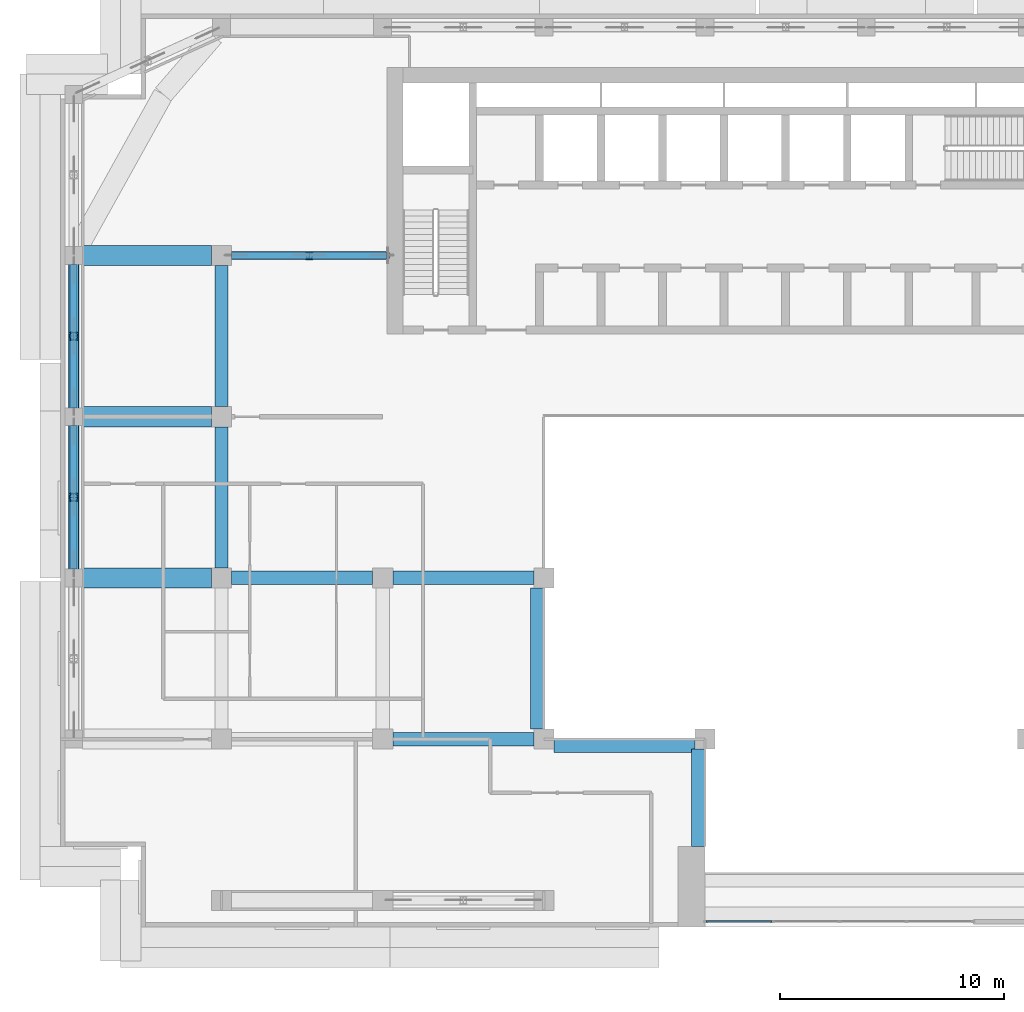
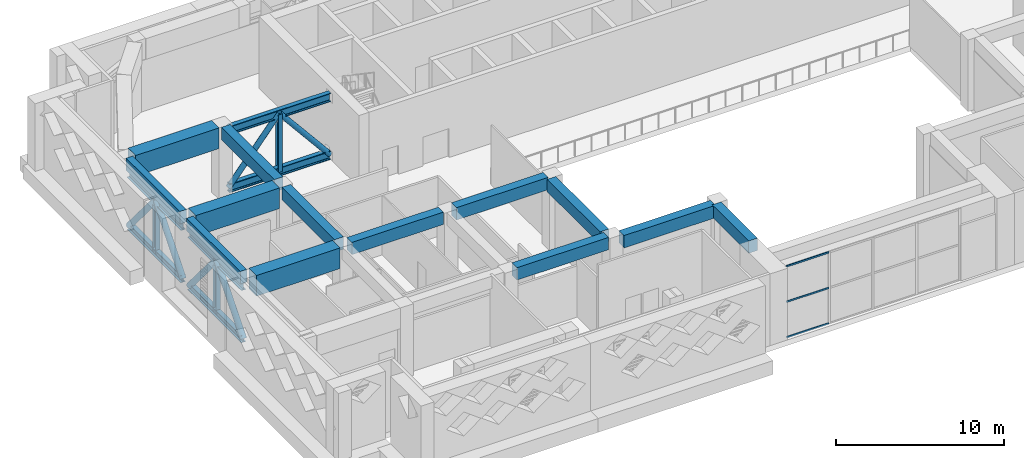
# One storey, part 3 of 20: 18 members, 13 beams, 1 element without a shape of its own.
"""IFC4 building model written with IfcOpenShell, lengths in metres."""

import ifcopenshell
import ifcopenshell.guid

model = None  # the IFC model being written
_history = None  # IfcOwnerHistory: only IFC2X3 demands one
_inside = {}  # id of a spatial element -> (the spatial element, [elements in it])
_under = {}  # id of a project, library or spatial element -> (it, [spatial elements below it])
_declared = {}  # id of a project -> (the project, [libraries it declares])
_typed = {}  # id of a type object -> (the type object, [elements of that type])
_made_of = {}  # id of a material, layer set ... -> (it, [elements and type objects made of it])


def new_model(schema):
    """Start an empty IFC model of exactly this schema.

    Asked for "IFC4X3", IfcOpenShell would pick the latest addendum, in which some entities
    have other attributes; the version numbers below select the first issue.
    IFC2X3 requires an IfcOwnerHistory on every rooted entity: one is made here for all.
    """
    global model, _history
    if schema == "IFC4X3":
        model = ifcopenshell.file(schema_version=(4, 3, 0, 0))
    else:
        model = ifcopenshell.file(schema=schema)
    _inside.clear()
    _under.clear()
    _declared.clear()
    _typed.clear()
    _made_of.clear()
    _history = None
    if model.schema == "IFC2X3":
        org = make("IfcOrganization", Name="unknown")
        user = make(
            "IfcPersonAndOrganization",
            ThePerson=make("IfcPerson", FamilyName="unknown"),
            TheOrganization=org,
        )
        app = make(
            "IfcApplication",
            ApplicationDeveloper=org,
            Version="unknown",
            ApplicationFullName="unknown",
            ApplicationIdentifier="unknown",
        )
        _history = make(
            "IfcOwnerHistory",
            OwningUser=user,
            OwningApplication=app,
            ChangeAction="ADDED",
            CreationDate=0,
        )
    return model


def make(cls, **values):
    """One entity of the class cls with the attributes given. An attribute that is None is left unset."""
    return model.create_entity(
        cls, **{name: value for name, value in values.items() if value is not None}
    )


def rooted(cls, **values):
    """An entity with a GlobalId (a new one), such as an element, a storey or a relation."""
    return make(cls, GlobalId=ifcopenshell.guid.new(), OwnerHistory=_history, **values)


def si_unit(unit_type, name, prefix=None):
    """IfcSIUnit, for example si_unit("LENGTHUNIT", "METRE", prefix="MILLI")."""
    return make("IfcSIUnit", UnitType=unit_type, Prefix=prefix, Name=name)


def assignment(units):
    """IfcUnitAssignment: the units of a project."""
    return None if units is None else make("IfcUnitAssignment", Units=units)


def point(xyz):
    """IfcCartesianPoint."""
    return None if xyz is None else make("IfcCartesianPoint", Coordinates=xyz)


def direction(xyz):
    """IfcDirection."""
    return None if xyz is None else make("IfcDirection", DirectionRatios=xyz)


def frame(location, z_axis=None, x_axis=None):
    """IfcAxis2Placement3D, a coordinate frame: its origin and axes. An axis left out is left unset."""
    return make(
        "IfcAxis2Placement3D",
        Location=point(location),
        Axis=direction(z_axis),
        RefDirection=direction(x_axis),
    )


def frame_2d(location, x_axis=None):
    """IfcAxis2Placement2D, a coordinate frame in the plane: its origin and x axis."""
    return make(
        "IfcAxis2Placement2D", Location=point(location), RefDirection=direction(x_axis)
    )


def origin():
    """The frame at (0, 0, 0) with its axes left unset."""
    return frame((0.0, 0.0, 0.0))


def origin_2d():
    """The frame at (0, 0) in the plane with its x axis left unset."""
    return frame_2d((0.0, 0.0))


def place(relative_to, where):
    """IfcLocalPlacement: puts the frame where relative to a parent placement (None: the world)."""
    return make(
        "IfcLocalPlacement", PlacementRelTo=relative_to, RelativePlacement=where
    )


def context(
    kind, dimensions, precision=None, world=None, true_north=None, identifier=None
):
    """IfcGeometricRepresentationContext, for example the 3D "Model" context."""
    return make(
        "IfcGeometricRepresentationContext",
        ContextIdentifier=identifier,
        ContextType=kind,
        CoordinateSpaceDimension=dimensions,
        Precision=precision,
        WorldCoordinateSystem=world,
        TrueNorth=true_north,
    )


def subcontext(parent, identifier, kind, view, scale=None):
    """IfcGeometricRepresentationSubContext, for example "Body" below "Model"."""
    return make(
        "IfcGeometricRepresentationSubContext",
        ContextIdentifier=identifier,
        ContextType=kind,
        ParentContext=parent,
        TargetScale=scale,
        TargetView=view,
    )


def project(units=None, contexts=None):
    """IfcProject with its units and contexts."""
    return rooted(
        "IfcProject",
        Name="project",
        RepresentationContexts=contexts,
        UnitsInContext=assignment(units),
    )


def spatial(cls, under=None, at=None, **own):
    """A site, building, storey or space (cls), placed at a placement, below another one or the project."""
    s = rooted(cls, ObjectPlacement=at, **own)
    if under is not None:
        _under.setdefault(under.id(), (under, []))[1].append(s)
    return s


def profile(cls, at=None, kind="AREA", **sizes):
    """A parametric profile (cls). Its sizes go by their IFC names, for example OverallWidth=200.0."""
    return make(cls, ProfileType=kind, Position=at, **sizes)


def rectangle(**sizes):
    """IfcRectangleProfileDef."""
    return profile("IfcRectangleProfileDef", **sizes)


def hollow_circle(**sizes):
    """IfcCircleHollowProfileDef."""
    return profile("IfcCircleHollowProfileDef", **sizes)


def i_section(**sizes):
    """IfcIShapeProfileDef."""
    return profile("IfcIShapeProfileDef", **sizes)


def extrude(swept, where, along, depth):
    """IfcExtrudedAreaSolid: the profile swept, set in the frame where, extruded along a direction by depth."""
    return make(
        "IfcExtrudedAreaSolid",
        SweptArea=swept,
        Position=where,
        ExtrudedDirection=direction(along),
        Depth=depth,
    )


def shape(context_of_items, identifier, shape_type, items):
    """IfcShapeRepresentation: the items that make up one representation, for example the "Body"."""
    return make(
        "IfcShapeRepresentation",
        ContextOfItems=context_of_items,
        RepresentationIdentifier=identifier,
        RepresentationType=shape_type,
        Items=items,
    )


def source(mapping_origin, context_of_items, identifier, shape_type, items):
    """IfcRepresentationMap: a shape defined once, which mapped items show again and again."""
    return make(
        "IfcRepresentationMap",
        MappingOrigin=mapping_origin,
        MappedRepresentation=shape(context_of_items, identifier, shape_type, items),
    )


def transform(
    local_origin,
    x_axis=None,
    y_axis=None,
    z_axis=None,
    scale=None,
    scale2=None,
    scale3=None,
    uniform=True,
):
    """IfcCartesianTransformationOperator3D, or its non-uniform kind. x_axis, y_axis, z_axis: its Axis1, 2, 3."""
    if uniform:
        return make(
            "IfcCartesianTransformationOperator3D",
            Axis1=direction(x_axis),
            Axis2=direction(y_axis),
            LocalOrigin=point(local_origin),
            Scale=scale,
            Axis3=direction(z_axis),
        )
    return make(
        "IfcCartesianTransformationOperator3DnonUniform",
        Axis1=direction(x_axis),
        Axis2=direction(y_axis),
        LocalOrigin=point(local_origin),
        Scale=scale,
        Axis3=direction(z_axis),
        Scale2=scale2,
        Scale3=scale3,
    )


def mapped(mapping_source, mapping_target):
    """IfcMappedItem: shows the shape of a source again, moved by a transform."""
    return make(
        "IfcMappedItem", MappingSource=mapping_source, MappingTarget=mapping_target
    )


def material(Name=None, Category=None):
    """IfcMaterial."""
    return make("IfcMaterial", Name=Name, Category=Category)


def layer(
    of_material, thickness, ventilated=None, Name=None, Category=None, Priority=None
):
    """IfcMaterialLayer: one layer of a wall or slab, of a material (None: an air gap)."""
    return make(
        "IfcMaterialLayer",
        Material=of_material,
        LayerThickness=thickness,
        IsVentilated=ventilated,
        Name=Name,
        Category=Category,
        Priority=Priority,
    )


def layer_set(layers, Name=None):
    """IfcMaterialLayerSet."""
    return make("IfcMaterialLayerSet", MaterialLayers=layers, LayerSetName=Name)


def material_profile(
    of_material, cross_section, Name=None, Category=None, Priority=None
):
    """IfcMaterialProfile: a cross section and its material."""
    return make(
        "IfcMaterialProfile",
        Name=Name,
        Material=of_material,
        Profile=cross_section,
        Priority=Priority,
        Category=Category,
    )


def profile_set(profiles, Name=None, composite=None):
    """IfcMaterialProfileSet."""
    return make(
        "IfcMaterialProfileSet",
        Name=Name,
        MaterialProfiles=profiles,
        CompositeProfile=composite,
    )


def made_of(thing, what):
    """Note that an element or type object is made of a material, layer set ...; save() writes the relation."""
    if what is not None:
        _made_of.setdefault(what.id(), (what, []))[1].append(thing)
    return thing


def type_object(cls, material=None, **own):
    """A type object (cls), such as IfcWallType, which elements share."""
    return made_of(rooted(cls, **own), material)


def element(
    cls,
    number,
    at=None,
    inside=None,
    cuts=None,
    type_object=None,
    material=None,
    context=None,
    identifier="Body",
    shape_type=None,
    held_by="IfcProductDefinitionShape",
    body=None,
    shapes=None,
    **own,
):
    """One element of the class cls, such as IfcWall. Its Tag is "e" and its number.

    at: its placement. inside: the storey or other place that contains it. cuts: it is an
    opening in that element (IfcRelVoidsElement). A single representation is given by context,
    identifier, shape_type and body (its items); several are given by shapes. held_by: the class
    of the entity that holds the representations. save() writes the other relations.
    """
    e = rooted(cls, Tag="e%d" % number, ObjectPlacement=at, **own)
    if body is not None:
        shapes = [shape(context, identifier, shape_type, body)]
    if shapes is not None:
        e.Representation = make(held_by, Representations=shapes)
    if inside is not None:
        _inside.setdefault(inside.id(), (inside, []))[1].append(e)
    if cuts is not None:
        rooted(
            "IfcRelVoidsElement", RelatingBuildingElement=cuts, RelatedOpeningElement=e
        )
    if type_object is not None:
        _typed.setdefault(type_object.id(), (type_object, []))[1].append(e)
    return made_of(e, material)


def aggregate(whole, parts):
    """IfcRelAggregates: a whole, such as a stair, and the parts it consists of."""
    return rooted("IfcRelAggregates", RelatingObject=whole, RelatedObjects=parts)


def save(model, path):
    """Write the relations noted so far, then the file.

    IfcRelAggregates (storeys below a building ...), IfcRelContainedInSpatialStructure (elements
    in a storey), IfcRelDefinesByType, IfcRelAssociatesMaterial and IfcRelDeclares: one each for
    every whole, place, type object, material and project.
    """
    for whole, parts in _under.values():
        aggregate(whole, parts)
    for where, things in _inside.values():
        rooted(
            "IfcRelContainedInSpatialStructure",
            RelatedElements=things,
            RelatingStructure=where,
        )
    for kind, things in _typed.values():
        rooted("IfcRelDefinesByType", RelatedObjects=things, RelatingType=kind)
    for what, things in _made_of.values():
        rooted("IfcRelAssociatesMaterial", RelatedObjects=things, RelatingMaterial=what)
    for by, libraries in _declared.values():
        rooted("IfcRelDeclares", RelatingContext=by, RelatedDefinitions=libraries)
    model.write(path)


model = new_model("IFC4")

# Units and contexts
model_context = context("Model", 3, precision=1e-05, world=origin(), true_north=direction((0.0, 1.0)))
body_context = subcontext(model_context, "Body", "Model", "MODEL_VIEW")
ifc_project = project(units=[si_unit("LENGTHUNIT", "METRE"), si_unit("AREAUNIT", "SQUARE_METRE"), si_unit("VOLUMEUNIT", "CUBIC_METRE"), si_unit("PLANEANGLEUNIT", "RADIAN"), si_unit("MASSUNIT", "GRAM", prefix="KILO")], contexts=[model_context])

# Site, building, storey
site_placement = place(None, origin())
site = spatial("IfcSite", under=ifc_project, at=site_placement, CompositionType="ELEMENT")
building_placement = place(site_placement, origin())
building = spatial("IfcBuilding", under=site, at=building_placement, Name="Saffron Iwan Residences", CompositionType="ELEMENT")
storey_placement = place(building_placement, frame((0.0, 0.0, 206.0)))
storey = spatial("IfcBuildingStorey", under=building, at=storey_placement, Name="L55", CompositionType="ELEMENT", Elevation=206.0)

# Beams
ifc_material_1 = material(Name="Concrete C50/60", Category="concrete")
ifc_material_profile_1 = material_profile(ifc_material_1, rectangle(XDim=0.449951171875, YDim=0.89990234375, at=origin_2d()), Name="RC 450x900")
ifc_profile_set_1 = profile_set([ifc_material_profile_1], Name="Concrete C50/60")
beam_type_1 = type_object("IfcBeamType", Name="SPANDREL BEAM RC 450x900 C50/60 TOP 5220", PredefinedType="SPANDREL", material=ifc_profile_set_1)
shared_shape_1 = source(origin(), body_context, "Body", "SweptSolid", [
    extrude(rectangle(XDim=0.449951171875, YDim=0.89990234375, at=origin_2d()), origin(), (0.0, 0.0, 1.0), 6.39990234375),
])
for number, where, z_axis, x_axis, name in (
    (1, (15.0, 55.60009765625, 4.77001953125), (0.0, 1.0, 0.0), (-1.0, 0.0, 0.0), "Spandrel beam"),
    (2, (15.0, 62.800048828125, 4.77001953125), (0.0, 1.0, 0.0), (-1.0, 0.0, 0.0), "Spandrel beam"),
):
    element("IfcBeam", number, at=place(storey_placement, frame(where, z_axis=z_axis, x_axis=x_axis)), inside=storey, type_object=beam_type_1, Name=name, PredefinedType="SPANDREL", context=body_context, shape_type="MappedRepresentation", body=[
        mapped(shared_shape_1, transform((0.0, 0.0, 0.0))),
    ])
ifc_material_profile_2 = material_profile(ifc_material_1, rectangle(XDim=0.60009765625, YDim=0.89990234375, at=origin_2d()), Name="RC 600x900")
ifc_profile_set_2 = profile_set([ifc_material_profile_2], Name="Concrete C50/60")
beam_type_2 = type_object("IfcBeamType", Name="BEAM RC 600x900 C50/60 TOP 5220", PredefinedType="BEAM", material=ifc_profile_set_2)
shared_shape_2 = source(origin(), body_context, "Body", "SweptSolid", [
    extrude(rectangle(XDim=0.60009765625, YDim=0.89990234375, at=origin_2d()), origin(), (0.0, 0.0, 1.0), 4.35009765625),
])
beam_1_placement = place(storey_placement, frame((42.89990234375, 43.199951171875, 4.77001953125), z_axis=(0.0, 1.0, 0.0), x_axis=(-1.0, 0.0, 0.0)))
element("IfcBeam", 3, at=beam_1_placement, inside=storey, type_object=beam_type_2, Name="Atrium edge beam", PredefinedType="BEAM", context=body_context, shape_type="MappedRepresentation", body=[
    mapped(shared_shape_2, transform((0.0, 0.0, 0.0))),
])
shared_shape_3 = source(origin(), body_context, "Body", "SweptSolid", [
    extrude(rectangle(XDim=0.60009765625, YDim=0.89990234375, at=origin_2d()), origin(), (0.0, 0.0, 1.0), 6.300048828125),
])
for number, where, z_axis, x_axis, name in (
    (4, (42.75, 47.699951171875, 4.77001953125), (-1.0, 0.0, 0.0), (0.0, -1.0, 0.0), "Atrium edge beam"),
    (5, (35.699951171875, 48.449951171875, 4.77001953125), (0.0, 1.0, 0.0), (-1.0, 0.0, 0.0), "Atrium edge beam"),
    (6, (29.25, 48.0, 4.77001953125), (1.0, 0.0, 0.0), (0.0, 1.0, 0.0), "Floor beam"),
    (7, (22.050048828125, 55.199951171875, 4.77001953125), (1.0, 0.0, 0.0), (0.0, 1.0, 0.0), "Floor beam"),
    (8, (29.25, 55.199951171875, 4.77001953125), (1.0, 0.0, 0.0), (0.0, 1.0, 0.0), "Floor beam"),
    (9, (21.60009765625, 55.64990234375, 4.77001953125), (0.0, 1.0, 0.0), (-1.0, 0.0, 0.0), "Floor beam"),
):
    element("IfcBeam", number, at=place(storey_placement, frame(where, z_axis=z_axis, x_axis=x_axis)), inside=storey, type_object=beam_type_2, Name=name, PredefinedType="BEAM", context=body_context, shape_type="MappedRepresentation", body=[
        mapped(shared_shape_3, transform((0.0, 0.0, 0.0))),
    ])
shared_shape_4 = source(origin(), body_context, "Body", "SweptSolid", [
    extrude(rectangle(XDim=0.60009765625, YDim=0.89990234375, at=origin_2d()), origin(), (0.0, 0.0, 1.0), 6.2998046875),
])
beam_2_placement = place(storey_placement, frame((21.60009765625, 62.85009765625, 4.77001953125), z_axis=(0.0, 1.0, 0.0), x_axis=(-1.0, 0.0, 0.0)))
element("IfcBeam", 10, at=beam_2_placement, inside=storey, type_object=beam_type_2, Name="Floor beam", PredefinedType="BEAM", context=body_context, shape_type="MappedRepresentation", body=[
    mapped(shared_shape_4, transform((0.0, 0.0, 0.0))),
])
ifc_material_profile_3 = material_profile(ifc_material_1, rectangle(XDim=0.89990234375, YDim=1.5, at=origin_2d()), Name="RC 900x1500")
ifc_profile_set_3 = profile_set([ifc_material_profile_3], Name="Concrete C50/60")
beam_type_3 = type_object("IfcBeamType", Name="TRANSFER GIRDER RC 900x1500 C50/60 TOP 5220", PredefinedType="BEAM", material=ifc_profile_set_3)
shared_shape_5 = source(origin(), body_context, "Body", "SweptSolid", [
    extrude(rectangle(XDim=0.89990234375, YDim=1.5, at=origin_2d()), origin(), (0.0, 0.0, 1.0), 5.75),
])
for number, where, z_axis, x_axis, name in (
    (11, (21.14990234375, 55.199951171875, 4.469970703125), (-1.0, 0.0, 0.0), (0.0, -1.0, 0.0), "Transfer girder"),
    (12, (21.14990234375, 62.39990234375, 4.469970703125), (-1.0, 0.0, 0.0), (0.0, -1.0, 0.0), "Transfer girder"),
    (13, (21.14990234375, 69.60009765625, 4.469970703125), (-1.0, 0.0, 0.0), (0.0, -1.0, 0.0), "Transfer girder"),
):
    element("IfcBeam", number, at=place(storey_placement, frame(where, z_axis=z_axis, x_axis=x_axis)), inside=storey, type_object=beam_type_3, Name=name, PredefinedType="BEAM", context=body_context, shape_type="MappedRepresentation", body=[
        mapped(shared_shape_5, transform((0.0, 0.0, 0.0))),
    ])

# Members
ifc_material_2 = material(Name="Steel S355", Category="steel")
ifc_material_profile_4 = material_profile(ifc_material_2, hollow_circle(Radius=0.203125, WallThickness=0.01611328125, at=origin_2d()), Name="CHS 406.4x16")
ifc_profile_set_4 = profile_set([ifc_material_profile_4], Name="Steel S355")
member_type_1 = type_object("IfcMemberType", Name="BELT TRUSS DIAGONAL CHS 406.4x16 S355", PredefinedType="BRACE", material=ifc_profile_set_4)
shared_shape_6 = source(origin(), body_context, "Body", "SweptSolid", [
    extrude(hollow_circle(Radius=0.203125, WallThickness=0.01611328125, at=origin_2d()), origin(), (0.0, 0.0, 1.0), 4.96484375),
])
for number, where, z_axis, x_axis, name in (
    (14, (15.0, 55.60009765625, 0.261962890625), (0.0, 0.644512714947, 0.764593591571), (-1.0, 0.0, 0.0), "Belt truss diagonal L55"),
    (15, (15.0, 58.800048828125, 4.05810546875), (0.0, 0.644512714947, -0.764593591571), (-1.0, 0.0, 0.0), "Belt truss diagonal L55"),
    (16, (15.0, 62.800048828125, 0.261962890625), (0.0, 0.644512714947, 0.764593591571), (-1.0, 0.0, 0.0), "Belt truss diagonal L55"),
    (17, (15.0, 66.0, 4.05810546875), (0.0, 0.644512714947, -0.764593591571), (-1.0, 0.0, 0.0), "Belt truss diagonal L55"),
):
    element("IfcMember", number, at=place(storey_placement, frame(where, z_axis=z_axis, x_axis=x_axis)), inside=storey, type_object=member_type_1, Name=name, PredefinedType="BRACE", context=body_context, shape_type="MappedRepresentation", body=[
        mapped(shared_shape_6, transform((0.0, 0.0, 0.0))),
    ])
ifc_material_profile_5 = material_profile(ifc_material_2, i_section(OverallWidth=0.300048828125, OverallDepth=0.360107421875, WebThickness=0.012451171875, FlangeThickness=0.0224609375, FilletRadius=0.027099609375, at=origin_2d()), Name="HE 360 B")
ifc_profile_set_5 = profile_set([ifc_material_profile_5], Name="Steel S355")
member_type_2 = type_object("IfcMemberType", Name="BELT TRUSS POST HE 360 B S355", PredefinedType="POST", material=ifc_profile_set_5)
shared_shape_7 = source(origin(), body_context, "Body", "SweptSolid", [
    extrude(i_section(OverallWidth=0.300048828125, OverallDepth=0.360107421875, WebThickness=0.012451171875, FlangeThickness=0.0224609375, FilletRadius=0.027099609375, at=origin_2d()), origin(), (0.0, 0.0, 1.0), 3.796142578125),
])
for number, where, z_axis, x_axis, name in (
    (18, (15.0, 58.800048828125, 0.261962890625), (0.0, 0.0, 1.0), (1.0, 0.0, 0.0), "Belt truss post L55"),
    (19, (15.0, 66.0, 0.261962890625), (0.0, 0.0, 1.0), (1.0, 0.0, 0.0), "Belt truss post L55"),
):
    element("IfcMember", number, at=place(storey_placement, frame(where, z_axis=z_axis, x_axis=x_axis)), inside=storey, type_object=member_type_2, Name=name, PredefinedType="POST", context=body_context, shape_type="MappedRepresentation", body=[
        mapped(shared_shape_7, transform((0.0, 0.0, 0.0))),
    ])
ifc_material_profile_6 = material_profile(ifc_material_2, i_section(OverallWidth=0.305908203125, OverallDepth=0.52392578125, WebThickness=0.02099609375, FlangeThickness=0.0400390625, FilletRadius=0.027099609375, at=origin_2d()), Name="HE 500 M")
ifc_profile_set_6 = profile_set([ifc_material_profile_6], Name="Steel S355")
member_type_3 = type_object("IfcMemberType", Name="BELT TRUSS CHORD HE 500 M S355", PredefinedType="CHORD", material=ifc_profile_set_6)
shared_shape_8 = source(origin(), body_context, "Body", "SweptSolid", [
    extrude(i_section(OverallWidth=0.305908203125, OverallDepth=0.52392578125, WebThickness=0.02099609375, FlangeThickness=0.0400390625, FilletRadius=0.027099609375, at=origin_2d()), origin(), (0.0, 0.0, 1.0), 6.39990234375),
])
for number, where, z_axis, x_axis, name in (
    (20, (15.0, 55.60009765625, 0.261962890625), (0.0, 1.0, 0.0), (-1.0, 0.0, 0.0), "Belt truss chord L55"),
    (21, (15.0, 55.60009765625, 4.05810546875), (0.0, 1.0, 0.0), (-1.0, 0.0, 0.0), "Belt truss chord L55"),
    (22, (15.0, 62.800048828125, 0.261962890625), (0.0, 1.0, 0.0), (-1.0, 0.0, 0.0), "Belt truss chord L55"),
    (23, (15.0, 62.800048828125, 4.05810546875), (0.0, 1.0, 0.0), (-1.0, 0.0, 0.0), "Belt truss chord L55"),
):
    element("IfcMember", number, at=place(storey_placement, frame(where, z_axis=z_axis, x_axis=x_axis)), inside=storey, type_object=member_type_3, Name=name, PredefinedType="CHORD", context=body_context, shape_type="MappedRepresentation", body=[
        mapped(shared_shape_8, transform((0.0, 0.0, 0.0))),
    ])
ifc_material_profile_7 = material_profile(ifc_material_2, i_section(OverallWidth=0.304931640625, OverallDepth=0.6201171875, WebThickness=0.02099609375, FlangeThickness=0.0400390625, FilletRadius=0.027099609375, at=origin_2d()), Name="HE 600 M")
ifc_profile_set_7 = profile_set([ifc_material_profile_7], Name="Steel S355")
member_type_4 = type_object("IfcMemberType", Name="OUTRIGGER TRUSS CHORD HE 600 M S355", PredefinedType="CHORD", material=ifc_profile_set_7)
shared_shape_9 = source(origin(), body_context, "Body", "SweptSolid", [
    extrude(i_section(OverallWidth=0.304931640625, OverallDepth=0.6201171875, WebThickness=0.02099609375, FlangeThickness=0.0400390625, FilletRadius=0.027099609375, at=origin_2d()), origin(), (0.0, 0.0, 1.0), 6.949951171875),
])
for number, where, z_axis, x_axis, name in (
    (24, (29.0, 69.60009765625, 0.31005859375), (-1.0, 0.0, 0.0), (0.0, -1.0, 0.0), "Outrigger truss chord L55"),
    (25, (29.0, 69.60009765625, 4.510009765625), (-1.0, 0.0, 0.0), (0.0, -1.0, 0.0), "Outrigger truss chord L55"),
):
    element("IfcMember", number, at=place(storey_placement, frame(where, z_axis=z_axis, x_axis=x_axis)), inside=storey, type_object=member_type_4, Name=name, PredefinedType="CHORD", context=body_context, shape_type="MappedRepresentation", body=[
        mapped(shared_shape_9, transform((0.0, 0.0, 0.0))),
    ])
ifc_material_profile_8 = material_profile(ifc_material_2, hollow_circle(Radius=0.177734375, WallThickness=0.01611328125, at=origin_2d()), Name="CHS 355.6x16")
ifc_profile_set_8 = profile_set([ifc_material_profile_8], Name="Steel S355")
member_type_5 = type_object("IfcMemberType", Name="OUTRIGGER TRUSS DIAGONAL CHS 355.6x16 S355", PredefinedType="BRACE", material=ifc_profile_set_8)
shared_shape_10 = source(origin(), body_context, "Body", "SweptSolid", [
    extrude(hollow_circle(Radius=0.177734375, WallThickness=0.01611328125, at=origin_2d()), origin(), (0.0, 0.0, 1.0), 5.451171875),
])
for number, where, z_axis, x_axis, name in (
    (26, (29.0, 69.60009765625, 0.31005859375), (-0.637488884195, 0.0, 0.770459552818), (0.0, -1.0, 0.0), "Outrigger truss diagonal L55"),
    (27, (25.52490234375, 69.60009765625, 4.510009765625), (-0.637462297525, 0.0, -0.770481550223), (0.0, -1.0, 0.0), "Outrigger truss diagonal L55"),
):
    element("IfcMember", number, at=place(storey_placement, frame(where, z_axis=z_axis, x_axis=x_axis)), inside=storey, type_object=member_type_5, Name=name, PredefinedType="BRACE", context=body_context, shape_type="MappedRepresentation", body=[
        mapped(shared_shape_10, transform((0.0, 0.0, 0.0))),
    ])
ifc_material_profile_9 = material_profile(ifc_material_2, i_section(OverallWidth=0.300048828125, OverallDepth=0.360107421875, WebThickness=0.012451171875, FlangeThickness=0.0224609375, FilletRadius=0.027099609375, at=origin_2d()), Name="HE 360 B")
ifc_profile_set_9 = profile_set([ifc_material_profile_9], Name="Steel S355")
member_type_6 = type_object("IfcMemberType", Name="OUTRIGGER TRUSS POST HE 360 B S355", PredefinedType="POST", material=ifc_profile_set_9)
shared_shape_11 = source(origin(), body_context, "Body", "SweptSolid", [
    extrude(i_section(OverallWidth=0.300048828125, OverallDepth=0.360107421875, WebThickness=0.012451171875, FlangeThickness=0.0224609375, FilletRadius=0.027099609375, at=origin_2d()), origin(), (0.0, 0.0, 1.0), 4.199951171875),
])
member_1_placement = place(storey_placement, frame((25.52490234375, 69.60009765625, 0.31005859375), z_axis=(0.0, 0.0, 1.0), x_axis=(1.0, 0.0, 0.0)))
element("IfcMember", 28, at=member_1_placement, inside=storey, type_object=member_type_6, Name="Outrigger truss post L55", PredefinedType="POST", context=body_context, shape_type="MappedRepresentation", body=[
    mapped(shared_shape_11, transform((0.0, 0.0, 0.0))),
])

# Curtain wall, members
ifc_material_3 = material(Name="Clear glass, laminated double glazed", Category="glass")
ifc_layer = layer(ifc_material_3, 0.199951171875)
ifc_layer_set = layer_set([ifc_layer], Name="Clear glass, laminated double glazed")
curtain_wall_type = type_object("IfcCurtainWallType", Name="CW-B IWAN PORTAL", PredefinedType="NOTDEFINED", material=ifc_layer_set)
curtain_wall_placement = place(storey_placement, origin())
curtain_wall = element("IfcCurtainWall", 29, at=curtain_wall_placement, inside=storey, type_object=curtain_wall_type, Name="Iwan portal glazing L55.1", PredefinedType="NOTDEFINED")
ifc_material_4 = material(Name="Aluminium 6063-T6", Category="aluminium")
ifc_material_profile_10 = material_profile(ifc_material_4, rectangle(XDim=0.06005859375, YDim=0.1201171875, at=origin_2d()), Name="CW-B TRANSOM 60 x 120")
ifc_profile_set_10 = profile_set([ifc_material_profile_10], Name="Aluminium 6063-T6")
member_type_7 = type_object("IfcMemberType", Name="CW-B TRANSOM 60 x 120", PredefinedType="USERDEFINED", material=ifc_profile_set_10)
shared_shape_12 = source(origin(), body_context, "Body", "SweptSolid", [
    extrude(rectangle(XDim=0.06005859375, YDim=0.1201171875, at=origin_2d()), origin(), (0.0, 0.0, 1.0), 2.909912109375),
])
member_2_placement = place(storey_placement, frame((43.260009765625, 39.85009765625, 0.030029296875), z_axis=(1.0, 0.0, 0.0), x_axis=(0.0, 1.0, 0.0)))
member_2 = element("IfcMember", 30, at=member_2_placement, type_object=member_type_7, Name="CW-B transom 1.1", ObjectType="TRANSOM", PredefinedType="USERDEFINED", context=body_context, shape_type="MappedRepresentation", body=[
    mapped(shared_shape_12, transform((0.0, 0.0, 0.0))),
])
member_3_placement = place(storey_placement, frame((43.260009765625, 39.85009765625, 2.610107421875), z_axis=(1.0, 0.0, 0.0), x_axis=(0.0, 1.0, 0.0)))
member_3 = element("IfcMember", 31, at=member_3_placement, type_object=member_type_7, Name="CW-B transom 1.2", ObjectType="TRANSOM", PredefinedType="USERDEFINED", context=body_context, shape_type="MappedRepresentation", body=[
    mapped(shared_shape_12, transform((0.0, 0.0, 0.0))),
])
member_4_placement = place(storey_placement, frame((43.260009765625, 39.85009765625, 5.18994140625), z_axis=(1.0, 0.0, 0.0), x_axis=(0.0, 1.0, 0.0)))
member_4 = element("IfcMember", 32, at=member_4_placement, type_object=member_type_7, Name="CW-B transom 1.3", ObjectType="TRANSOM", PredefinedType="USERDEFINED", context=body_context, shape_type="MappedRepresentation", body=[
    mapped(shared_shape_12, transform((0.0, 0.0, 0.0))),
])
aggregate(curtain_wall, [member_2, member_3, member_4])

save(model, "model.ifc")
